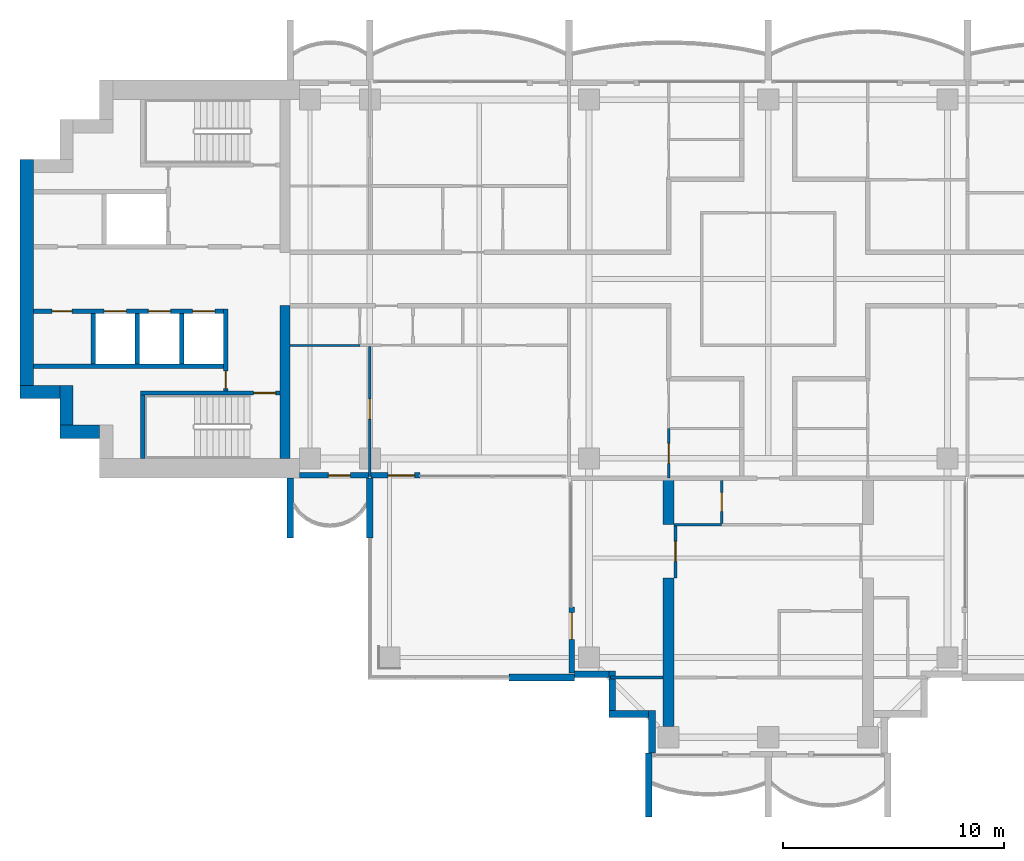
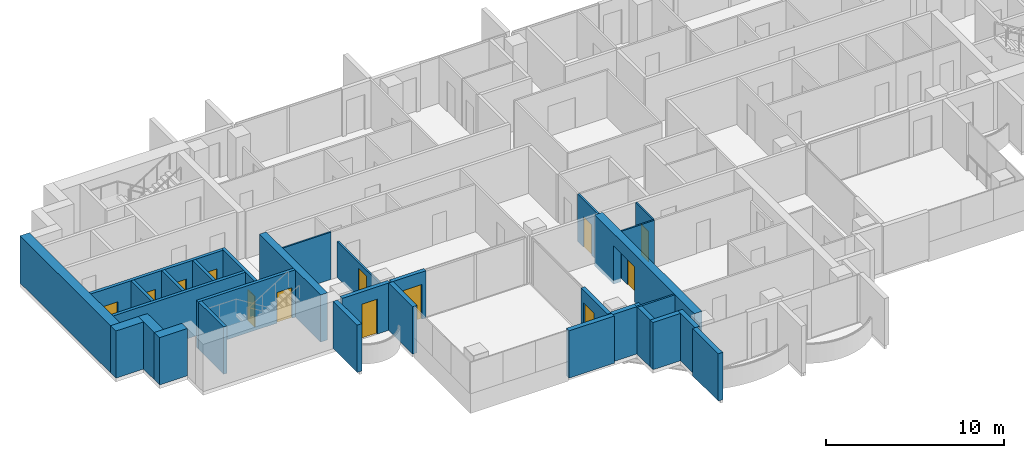
# One storey, part 8 of 17: 32 walls, 13 doors, 13 openings.
"""IFC4 building model written with IfcOpenShell, lengths in metres."""

from ifc_helpers import new_model, si_unit, direction, frame, frame_2d, origin, place, context, subcontext, project, spatial, polyline, rectangle, outline, extrude, material, layer, layer_set, material_profile, profile_set, type_object, element, fill, save


model = new_model("IFC4")

# Units and contexts
model_context = context("Model", 3, precision=1e-05, world=origin(), true_north=direction((0.0, 1.0)))
body_context = subcontext(model_context, "Body", "Model", "MODEL_VIEW")
ifc_project = project(units=[si_unit("LENGTHUNIT", "METRE"), si_unit("AREAUNIT", "SQUARE_METRE"), si_unit("VOLUMEUNIT", "CUBIC_METRE"), si_unit("PLANEANGLEUNIT", "RADIAN"), si_unit("MASSUNIT", "GRAM", prefix="KILO")], contexts=[model_context])

# Site, building, storey
site_placement = place(None, origin())
site = spatial("IfcSite", under=ifc_project, at=site_placement, CompositionType="ELEMENT")
building_placement = place(site_placement, origin())
building = spatial("IfcBuilding", under=site, at=building_placement, Name="Perihelion Cross Residences", CompositionType="ELEMENT")
storey_placement = place(building_placement, frame((0.0, 0.0, 184.10009765625)))
storey = spatial("IfcBuildingStorey", under=building, at=storey_placement, Name="L45", CompositionType="ELEMENT", Elevation=184.10009765625)

# Wall, opening, door
ifc_material_1 = material(Name="Concrete C30/37, bronze-clad", Category="concrete")
ifc_layer_1 = layer(ifc_material_1, 0.25)
ifc_layer_set_1 = layer_set([ifc_layer_1], Name="Bronze-clad pier wall 250")
wall_type_1 = type_object("IfcWallType", Name="Bronze-clad pier wall 250", PredefinedType="SOLIDWALL", material=ifc_layer_set_1)
wall_1_placement = place(storey_placement, frame((-21.175048828125, -8.875, 0.0), z_axis=(0.0, 0.0, 1.0), x_axis=(1.0, 0.0, 0.0)))
wall_1 = element("IfcWall", 1, at=wall_1_placement, inside=storey, type_object=wall_type_1, Name="Wall FW1 L45 west side south bay 1 pier", PredefinedType="SOLIDWALL", context=body_context, shape_type="SweptSolid", body=[
    extrude(rectangle(XDim=3.114990234375, YDim=0.25, at=frame_2d((1.5576171875, 0.0))), origin(), (0.0, 0.0, 1.0), 3.25),
])
opening_1_placement = place(wall_1_placement, frame((1.300048828125, 0.0, 0.0)))
opening_1 = element("IfcOpeningElement", 2, at=opening_1_placement, cuts=wall_1, Name="Opening L45.E07", PredefinedType="OPENING", context=body_context, shape_type="SweptSolid", body=[
    extrude(rectangle(XDim=1.0, YDim=2.39990234375, at=frame_2d((0.5, 1.199951171875))), frame((0.0, 0.135009765625, 0.0), z_axis=(0.0, -1.0, 0.0), x_axis=(1.0, 0.0, 0.0)), (0.0, 0.0, 1.0), 0.27001953125),
])
ifc_material_2 = material(Name="Bronze anodised aluminium, glazed", Category="aluminium")
door_type_1 = type_object("IfcDoorType", Name="Balcony door 1000 x 2400", OperationType="NOTDEFINED", PredefinedType="DOOR", material=ifc_material_2)
door_1_placement = place(opening_1_placement, origin())
door_1 = element("IfcDoor", 3, at=door_1_placement, inside=storey, type_object=door_type_1, Name="Door L45.E07 west side south bay 1", OperationType="SINGLE_SWING_LEFT", OverallHeight=2.39990234375, OverallWidth=1.0, PredefinedType="DOOR", context=body_context, shape_type="SweptSolid", body=[
    extrude(rectangle(XDim=1.0, YDim=2.39990234375, at=frame_2d((0.5, 1.199951171875))), frame((0.0, 0.02490234375, 0.0), z_axis=(0.0, -1.0, 0.0), x_axis=(1.0, 0.0, 0.0)), (0.0, 0.0, 1.0), 0.050048828125),
])
fill(opening_1, door_1)

wall_2_placement = place(storey_placement, frame((-17.93994140625, -8.875, 0.0), z_axis=(0.0, 0.0, 1.0), x_axis=(1.0, 0.0, 0.0)))
wall_2 = element("IfcWall", 4, at=wall_2_placement, inside=storey, type_object=wall_type_1, Name="Wall FW1 L45 west side south bay 2 pier", PredefinedType="SOLIDWALL", context=body_context, shape_type="SweptSolid", body=[
    extrude(rectangle(XDim=2.21484375, YDim=0.25, at=frame_2d((1.107421875, 0.0))), origin(), (0.0, 0.0, 1.0), 3.25),
])
opening_2_placement = place(wall_2_placement, frame((0.764892578125, 0.0, 0.0)))
opening_2 = element("IfcOpeningElement", 5, at=opening_2_placement, cuts=wall_2, Name="Opening L45.E08", PredefinedType="OPENING", context=body_context, shape_type="SweptSolid", body=[
    extrude(rectangle(XDim=1.199951171875, YDim=2.39990234375, at=frame_2d((0.60009765625, 1.199951171875))), frame((0.0, 0.135009765625, 0.0), z_axis=(0.0, -1.0, 0.0), x_axis=(1.0, 0.0, 0.0)), (0.0, 0.0, 1.0), 0.27001953125),
])
ifc_material_3 = material(Name="Bronze anodised aluminium, glazed", Category="aluminium")
door_type_2 = type_object("IfcDoorType", Name="Balcony door 1200 x 2400", OperationType="NOTDEFINED", PredefinedType="DOOR", material=ifc_material_3)
door_2_placement = place(opening_2_placement, origin())
door_2 = element("IfcDoor", 6, at=door_2_placement, inside=storey, type_object=door_type_2, Name="Door L45.E08 west side south bay 2", OperationType="SINGLE_SWING_RIGHT", OverallHeight=2.39990234375, OverallWidth=1.199951171875, PredefinedType="DOOR", context=body_context, shape_type="SweptSolid", body=[
    extrude(rectangle(XDim=1.199951171875, YDim=2.39990234375, at=frame_2d((0.60009765625, 1.199951171875))), frame((0.0, 0.02490234375, 0.0), z_axis=(0.0, -1.0, 0.0), x_axis=(1.0, 0.0, 0.0)), (0.0, 0.0, 1.0), 0.050048828125),
])
fill(opening_2, door_2)

wall_3_placement = place(storey_placement, frame((-8.875, -14.824951171875, 0.0), z_axis=(0.0, 0.0, 1.0), x_axis=(0.0, -1.0, 0.0)))
wall_3 = element("IfcWall", 7, at=wall_3_placement, inside=storey, type_object=wall_type_1, Name="Wall FW1 L45 south side west bay 1 pier", PredefinedType="SOLIDWALL", context=body_context, shape_type="SweptSolid", body=[
    extrude(rectangle(XDim=2.97509765625, YDim=0.25, at=frame_2d((1.487548828125, 0.0))), origin(), (0.0, 0.0, 1.0), 3.25),
])
opening_3_placement = place(wall_3_placement, frame((0.25, 0.0, 0.0)))
opening_3 = element("IfcOpeningElement", 8, at=opening_3_placement, cuts=wall_3, Name="Opening L45.E09", PredefinedType="OPENING", context=body_context, shape_type="SweptSolid", body=[
    extrude(rectangle(XDim=1.199951171875, YDim=2.39990234375, at=frame_2d((0.60009765625, 1.199951171875))), frame((0.0, 0.135009765625, 0.0), z_axis=(0.0, -1.0, 0.0), x_axis=(1.0, 0.0, 0.0)), (0.0, 0.0, 1.0), 0.27001953125),
])
door_3_placement = place(opening_3_placement, origin())
door_3 = element("IfcDoor", 9, at=door_3_placement, inside=storey, type_object=door_type_2, Name="Door L45.E09 south side west bay 1", OperationType="SINGLE_SWING_LEFT", OverallHeight=2.39990234375, OverallWidth=1.199951171875, PredefinedType="DOOR", context=body_context, shape_type="SweptSolid", body=[
    extrude(rectangle(XDim=1.199951171875, YDim=2.39990234375, at=frame_2d((0.60009765625, 1.199951171875))), frame((0.0, 0.02490234375, 0.0), z_axis=(0.0, -1.0, 0.0), x_axis=(1.0, 0.0, 0.0)), (0.0, 0.0, 1.0), 0.050048828125),
])
fill(opening_3, door_3)

# Walls
ifc_material_4 = material(Name="Concrete C30/37, bronze-clad", Category="concrete")
ifc_layer_2 = layer(ifc_material_4, 0.300048828125)
ifc_layer_set_2 = layer_set([ifc_layer_2], Name="Bronze-clad serration wall 300")
wall_type_2 = type_object("IfcWallType", Name="Bronze-clad serration wall 300", PredefinedType="SOLIDWALL", material=ifc_layer_set_2)
wall_4_placement = place(storey_placement, frame((-8.75, -17.85009765625, 0.0), z_axis=(0.0, 0.0, 1.0), x_axis=(1.0, 0.0, 0.0)))
element("IfcWall", 10, at=wall_4_placement, inside=storey, type_object=wall_type_2, Name="Wall SR1 L45 south corner south-west 1", PredefinedType="SOLIDWALL", context=body_context, shape_type="SweptSolid", body=[
    extrude(rectangle(XDim=1.550048828125, YDim=0.300048828125, at=frame_2d((0.77490234375, 0.0))), origin(), (0.0, 0.0, 1.0), 3.25),
])
for number, where, z_axis, x_axis, name in (
    (11, (-7.050048828125, -17.699951171875, 0.0), (0.0, 0.0, 1.0), (0.0, -1.0, 0.0), "Wall SR1 L45 south corner south-west 2"),
    (12, (-7.199951171875, -19.64990234375, 0.0), (0.0, 0.0, 1.0), (1.0, 0.0, 0.0), "Wall SR1 L45 south corner south-west 3"),
):
    element("IfcWall", number, at=place(storey_placement, frame(where, z_axis=z_axis, x_axis=x_axis)), inside=storey, type_object=wall_type_2, Name=name, PredefinedType="SOLIDWALL", context=body_context, shape_type="SweptSolid", body=[
        extrude(rectangle(XDim=1.800048828125, YDim=0.300048828125, at=frame_2d((0.89990234375, 0.0))), origin(), (0.0, 0.0, 1.0), 3.25),
    ])
wall_5_placement = place(storey_placement, frame((-5.25, -19.5, 0.0), z_axis=(0.0, 0.0, 1.0), x_axis=(0.0, -1.0, 0.0)))
element("IfcWall", 13, at=wall_5_placement, inside=storey, type_object=wall_type_2, Name="Wall SR1 L45 south corner south-west 4", PredefinedType="SOLIDWALL", context=body_context, shape_type="SweptSolid", body=[
    extrude(rectangle(XDim=1.919921875, YDim=0.300048828125, at=frame_2d((0.9599609375, 0.0))), origin(), (0.0, 0.0, 1.0), 3.25),
])
ifc_material_5 = material(Name="Concrete C60/75", Category="concrete")
ifc_layer_3 = layer(ifc_material_5, 0.449951171875)
ifc_layer_set_3 = layer_set([ifc_layer_3], Name="Core wall, inner 450")
wall_type_3 = type_object("IfcWallType", Name="Core wall, inner 450", PredefinedType="SHEAR", material=ifc_layer_set_3)
wall_6_placement = place(storey_placement, frame((-21.824951171875, -8.10009765625, 0.0), z_axis=(0.0, 0.0, 1.0), x_axis=(0.0, 1.0, 0.0)))
element("IfcWall", 14, at=wall_6_placement, inside=storey, type_object=wall_type_3, Name="West core core wall, inner", PredefinedType="SHEAR", context=body_context, shape_type="SweptSolid", body=[
    extrude(rectangle(XDim=6.900146484375, YDim=0.449951171875, at=frame_2d((3.4501953125, 0.0))), origin(), (0.0, 0.0, 1.0), 3.25),
])
ifc_material_6 = material(Name="Concrete C60/75", Category="concrete")
ifc_layer_4 = layer(ifc_material_6, 0.60009765625)
ifc_layer_set_4 = layer_set([ifc_layer_4], Name="Core wall, outer 600")
wall_type_4 = type_object("IfcWallType", Name="Core wall, outer 600", PredefinedType="SHEAR", material=ifc_layer_set_4)
for number, where, z_axis, x_axis, name in (
    (15, (-32.0, -6.89990234375, 0.0), (0.0, 0.0, 1.0), (1.0, 0.0, 0.0), "West core core wall, outer"),
    (16, (-31.699951171875, -6.60009765625, 0.0), (0.0, 0.0, 1.0), (0.0, 1.0, 0.0), "West core core wall, outer"),
    (17, (-33.800048828125, -5.10009765625, 0.0), (0.0, 0.0, 1.0), (1.0, 0.0, 0.0), "West core core wall, outer"),
):
    element("IfcWall", number, at=place(storey_placement, frame(where, z_axis=z_axis, x_axis=x_axis)), inside=storey, type_object=wall_type_4, Name=name, PredefinedType="SHEAR", context=body_context, shape_type="SweptSolid", body=[
        extrude(rectangle(XDim=1.800048828125, YDim=0.60009765625, at=frame_2d((0.89990234375, 0.0))), origin(), (0.0, 0.0, 1.0), 3.25),
    ])
wall_7_placement = place(storey_placement, frame((-33.5, -4.800048828125, 0.0), z_axis=(0.0, 0.0, 1.0), x_axis=(0.0, 1.0, 0.0)))
element("IfcWall", 18, at=wall_7_placement, inside=storey, type_object=wall_type_4, Name="West core core wall, outer", PredefinedType="SHEAR", context=body_context, shape_type="SweptSolid", body=[
    extrude(rectangle(XDim=10.199951171875, YDim=0.60009765625, at=frame_2d((5.10009765625, 0.0))), origin(), (0.0, 0.0, 1.0), 3.25),
])

# Wall, opening, door
ifc_material_7 = material(Name="Plasterboard partition")
ifc_layer_5 = layer(ifc_material_7, 0.1201171875)
ifc_layer_set_5 = layer_set([ifc_layer_5], Name="Infill panel 120")
wall_type_5 = type_object("IfcWallType", Name="Infill panel 120", PredefinedType="PARTITIONING", material=ifc_layer_set_5)
wall_8_placement = place(storey_placement, frame((-4.18994140625, -11.10009765625, 0.0), z_axis=(0.0, 0.0, 1.0), x_axis=(0.0, -1.0, 0.0)))
wall_8 = element("IfcWall", 19, at=wall_8_placement, inside=storey, type_object=wall_type_5, Name="Partition L45 WI02", PredefinedType="PARTITIONING", context=body_context, shape_type="SweptSolid", body=[
    extrude(rectangle(XDim=2.39990234375, YDim=0.1201171875, at=frame_2d((1.199951171875, 0.0))), origin(), (0.0, 0.0, 1.0), 2.39990234375),
])
opening_4_placement = place(wall_8_placement, frame((0.75, 0.0, 0.0)))
opening_4 = element("IfcOpeningElement", 20, at=opening_4_placement, cuts=wall_8, Name="Opening L45.A45", PredefinedType="OPENING", context=body_context, shape_type="SweptSolid", body=[
    extrude(rectangle(XDim=0.89990234375, YDim=2.10009765625, at=frame_2d((0.449951171875, 1.050048828125))), frame((0.0, 0.070068359375, 0.0), z_axis=(0.0, -1.0, 0.0), x_axis=(1.0, 0.0, 0.0)), (0.0, 0.0, 1.0), 0.14013671875),
])
ifc_material_8 = material(Name="Timber door leaf", Category="wood")
door_type_3 = type_object("IfcDoorType", Name="Interior room door 900 x 2100", OperationType="SINGLE_SWING_LEFT", PredefinedType="DOOR", material=ifc_material_8)
door_4_placement = place(opening_4_placement, origin())
door_4 = element("IfcDoor", 21, at=door_4_placement, inside=storey, type_object=door_type_3, Name="Door L45.A45", OperationType="SINGLE_SWING_LEFT", OverallHeight=2.10009765625, OverallWidth=0.89990234375, PredefinedType="DOOR", context=body_context, shape_type="SweptSolid", body=[
    extrude(rectangle(XDim=0.89990234375, YDim=2.10009765625, at=frame_2d((0.449951171875, 1.050048828125))), frame((0.0, 0.02490234375, 0.0), z_axis=(0.0, -1.0, 0.0), x_axis=(1.0, 0.0, 0.0)), (0.0, 0.0, 1.0), 0.050048828125),
])
fill(opening_4, door_4)

ifc_material_9 = material(Name="Concrete C50/60", Category="concrete")
ifc_layer_6 = layer(ifc_material_9, 0.199951171875)
ifc_layer_set_6 = layer_set([ifc_layer_6], Name="Lobby wall 200")
wall_type_6 = type_object("IfcWallType", Name="Lobby wall 200", PredefinedType="SOLIDWALL", material=ifc_layer_set_6)
wall_9_placement = place(storey_placement, frame((-24.5, -5.050048828125, 0.0), z_axis=(0.0, 0.0, 1.0), x_axis=(0.0, 1.0, 0.0)))
wall_9 = element("IfcWall", 22, at=wall_9_placement, inside=storey, type_object=wall_type_6, Name="West core lobby wall", PredefinedType="SOLIDWALL", context=body_context, shape_type="SweptSolid", body=[
    extrude(rectangle(XDim=3.699951171875, YDim=0.199951171875, at=frame_2d((1.85009765625, 0.0))), origin(), (0.0, 0.0, 1.0), 3.25),
])
opening_5_placement = place(wall_9_placement, frame((0.10009765625, 0.0, 0.0)))
opening_5 = element("IfcOpeningElement", 23, at=opening_5_placement, cuts=wall_9, Name="Opening L45.C20", PredefinedType="OPENING", context=body_context, shape_type="SweptSolid", body=[
    extrude(rectangle(XDim=0.800048828125, YDim=2.10009765625, at=frame_2d((0.39990234375, 1.050048828125))), frame((0.0, 0.10986328125, 0.0), z_axis=(0.0, -1.0, 0.0), x_axis=(1.0, 0.0, 0.0)), (0.0, 0.0, 1.0), 0.219970703125),
])
ifc_material_10 = material(Name="Steel, powder coated", Category="steel")
door_type_4 = type_object("IfcDoorType", Name="Riser door 800", OperationType="SINGLE_SWING_LEFT", PredefinedType="DOOR", material=ifc_material_10)
door_5_placement = place(opening_5_placement, origin())
door_5 = element("IfcDoor", 24, at=door_5_placement, inside=storey, type_object=door_type_4, Name="West core riser door", OperationType="SINGLE_SWING_LEFT", OverallHeight=2.10009765625, OverallWidth=0.800048828125, PredefinedType="DOOR", context=body_context, shape_type="SweptSolid", body=[
    extrude(rectangle(XDim=0.800048828125, YDim=2.10009765625, at=frame_2d((0.39990234375, 1.050048828125))), frame((0.0, 0.02490234375, 0.0), z_axis=(0.0, -1.0, 0.0), x_axis=(1.0, 0.0, 0.0)), (0.0, 0.0, 1.0), 0.050048828125),
])
fill(opening_5, door_5)

ifc_material_11 = material(Name="Plasterboard partition")
ifc_layer_7 = layer(ifc_material_11, 0.1201171875)
ifc_layer_set_7 = layer_set([ifc_layer_7], Name="Partition wall 120")
wall_type_7 = type_object("IfcWallType", Name="Partition wall 120", PredefinedType="PARTITIONING", material=ifc_layer_set_7)
wall_10_placement = place(storey_placement, frame((-18.0, -8.919921875, 0.0), z_axis=(0.0, 0.0, 1.0), x_axis=(0.0, 1.0, 0.0)))
wall_10 = element("IfcWall", 25, at=wall_10_placement, inside=storey, type_object=wall_type_7, Name="Partition L45 W059", PredefinedType="PARTITIONING", context=body_context, shape_type="SweptSolid", body=[
    extrude(rectangle(XDim=5.85986328125, YDim=0.1201171875, at=frame_2d((2.929931640625, 0.0))), origin(), (0.0, 0.0, 1.0), 2.47998046875),
])
opening_6_placement = place(wall_10_placement, frame((2.590087890625, 0.0, 0.0)))
opening_6 = element("IfcOpeningElement", 26, at=opening_6_placement, cuts=wall_10, Name="Opening L45.A32", PredefinedType="OPENING", context=body_context, shape_type="SweptSolid", body=[
    extrude(rectangle(XDim=0.89990234375, YDim=2.10009765625, at=frame_2d((0.449951171875, 1.050048828125))), frame((0.0, 0.070068359375, 0.0), z_axis=(0.0, -1.0, 0.0), x_axis=(1.0, 0.0, 0.0)), (0.0, 0.0, 1.0), 0.14013671875),
])
door_6_placement = place(opening_6_placement, origin())
door_6 = element("IfcDoor", 27, at=door_6_placement, inside=storey, type_object=door_type_3, Name="Door L45.A32", OperationType="SINGLE_SWING_LEFT", OverallHeight=2.10009765625, OverallWidth=0.89990234375, PredefinedType="DOOR", context=body_context, shape_type="SweptSolid", body=[
    extrude(rectangle(XDim=0.89990234375, YDim=2.10009765625, at=frame_2d((0.449951171875, 1.050048828125))), frame((0.0, 0.02490234375, 0.0), z_axis=(0.0, -1.0, 0.0), x_axis=(1.0, 0.0, 0.0)), (0.0, 0.0, 1.0), 0.050048828125),
])
fill(opening_6, door_6)

wall_11_placement = place(storey_placement, frame((-4.5, -6.75, 0.0), z_axis=(0.0, 0.0, 1.0), x_axis=(0.0, -1.0, 0.0)))
wall_11 = element("IfcWall", 28, at=wall_11_placement, inside=storey, type_object=wall_type_7, Name="Partition L45 W061", PredefinedType="PARTITIONING", context=body_context, shape_type="SweptSolid", body=[
    extrude(rectangle(XDim=2.25, YDim=0.1201171875, at=frame_2d((1.125, 0.0))), origin(), (0.0, 0.0, 1.0), 3.25),
])
opening_7_placement = place(wall_11_placement, frame((0.675048828125, 0.0, 0.0)))
opening_7 = element("IfcOpeningElement", 29, at=opening_7_placement, cuts=wall_11, Name="Opening L45.A29", PredefinedType="OPENING", context=body_context, shape_type="SweptSolid", body=[
    extrude(rectangle(XDim=0.89990234375, YDim=2.10009765625, at=frame_2d((0.449951171875, 1.050048828125))), frame((0.0, 0.070068359375, 0.0), z_axis=(0.0, -1.0, 0.0), x_axis=(1.0, 0.0, 0.0)), (0.0, 0.0, 1.0), 0.14013671875),
])
door_7_placement = place(opening_7_placement, origin())
door_7 = element("IfcDoor", 30, at=door_7_placement, inside=storey, type_object=door_type_3, Name="Door L45.A29", OperationType="SINGLE_SWING_LEFT", OverallHeight=2.10009765625, OverallWidth=0.89990234375, PredefinedType="DOOR", context=body_context, shape_type="SweptSolid", body=[
    extrude(rectangle(XDim=0.89990234375, YDim=2.10009765625, at=frame_2d((0.449951171875, 1.050048828125))), frame((0.0, 0.02490234375, 0.0), z_axis=(0.0, -1.0, 0.0), x_axis=(1.0, 0.0, 0.0)), (0.0, 0.0, 1.0), 0.050048828125),
])
fill(opening_7, door_7)

# Walls
wall_12_placement = place(storey_placement, frame((-4.75, -18.0, 0.0), z_axis=(0.0, 0.0, 1.0), x_axis=(-1.0, 0.0, 0.0)))
element("IfcWall", 31, at=wall_12_placement, inside=storey, type_object=wall_type_7, Name="Partition L45 W073", PredefinedType="PARTITIONING", context=body_context, shape_type="SweptSolid", body=[
    extrude(rectangle(XDim=2.3701171875, YDim=0.1201171875, at=frame_2d((1.18505859375, 0.0))), origin(), (0.0, 0.0, 1.0), 3.25),
])
ifc_material_12 = material(Name="Precast concrete C50/60", Category="concrete")
ifc_layer_8 = layer(ifc_material_12, 0.300048828125)
ifc_layer_set_8 = layer_set([ifc_layer_8], Name="Precast concrete C50/60 blade wall 300")
wall_type_8 = type_object("IfcWallType", Name="Precast concrete C50/60 blade wall 300", PredefinedType="SOLIDWALL", material=ifc_layer_set_8)
for number, where, z_axis, x_axis, name in (
    (32, (-21.60009765625, -9.0, 0.0), (0.0, 0.0, 1.0), (0.0, -1.0, 0.0), "Wall BL1 L45 no. 3"),
    (33, (-18.0, -9.0, 0.0), (0.0, 0.0, 1.0), (0.0, -1.0, 0.0), "Wall BL1 L45 no. 1"),
):
    element("IfcWall", number, at=place(storey_placement, frame(where, z_axis=z_axis, x_axis=x_axis)), inside=storey, type_object=wall_type_8, Name=name, PredefinedType="SOLIDWALL", context=body_context, shape_type="SweptSolid", body=[
        extrude(rectangle(XDim=2.699951171875, YDim=0.300048828125, at=frame_2d((1.35009765625, 0.0))), origin(), (0.0, 0.0, 1.0), 3.25),
    ])
wall_13_placement = place(storey_placement, frame((-8.75, -18.0, 0.0), z_axis=(0.0, 0.0, 1.0), x_axis=(-1.0, 0.0, 0.0)))
element("IfcWall", 34, at=wall_13_placement, inside=storey, type_object=wall_type_8, Name="Wall BL1 L45 no. 6", PredefinedType="SOLIDWALL", context=body_context, shape_type="SweptSolid", body=[
    extrude(rectangle(XDim=2.949951171875, YDim=0.300048828125, at=frame_2d((1.47509765625, 0.0))), origin(), (0.0, 0.0, 1.0), 3.25),
])
wall_14_placement = place(storey_placement, frame((-5.39990234375, -21.419921875, 0.0), z_axis=(0.0, 0.0, 1.0), x_axis=(0.0, -1.0, 0.0)))
element("IfcWall", 35, at=wall_14_placement, inside=storey, type_object=wall_type_8, Name="Wall BL1 L45 no. 5", PredefinedType="SOLIDWALL", context=body_context, shape_type="SweptSolid", body=[
    extrude(rectangle(XDim=2.880126953125, YDim=0.300048828125, at=frame_2d((1.43994140625, 0.0))), origin(), (0.0, 0.0, 1.0), 3.25),
])

# Wall, openings, doors
ifc_material_13 = material(Name="Concrete C50/60", Category="concrete")
ifc_layer_9 = layer(ifc_material_13, 0.199951171875)
ifc_layer_set_9 = layer_set([ifc_layer_9], Name="Shaft wall 200")
wall_type_9 = type_object("IfcWallType", Name="Shaft wall 200", PredefinedType="SOLIDWALL", material=ifc_layer_set_9)
wall_15_placement = place(storey_placement, frame((-33.199951171875, -1.449951171875, 0.0), z_axis=(0.0, 0.0, 1.0), x_axis=(1.0, 0.0, 0.0)))
wall_15 = element("IfcWall", 36, at=wall_15_placement, inside=storey, type_object=wall_type_9, Name="West core shaft wall", PredefinedType="SOLIDWALL", context=body_context, shape_type="SweptSolid", body=[
    extrude(rectangle(XDim=8.599853515625, YDim=0.199951171875, at=frame_2d((4.2998046875, 0.0))), origin(), (0.0, 0.0, 1.0), 3.25),
])
opening_8_placement = place(wall_15_placement, frame((7.199951171875, 0.0, 0.0)))
opening_8 = element("IfcOpeningElement", 37, at=opening_8_placement, cuts=wall_15, Name="Opening L45.C13", PredefinedType="OPENING", context=body_context, shape_type="SweptSolid", body=[
    extrude(rectangle(XDim=1.0, YDim=2.10009765625, at=frame_2d((0.5, 1.050048828125))), frame((0.0, 0.10986328125, 0.0), z_axis=(0.0, -1.0, 0.0), x_axis=(1.0, 0.0, 0.0)), (0.0, 0.0, 1.0), 0.219970703125),
])
opening_9_placement = place(wall_15_placement, frame((5.199951171875, 0.0, 0.0)))
opening_9 = element("IfcOpeningElement", 38, at=opening_9_placement, cuts=wall_15, Name="Opening L45.C15", PredefinedType="OPENING", context=body_context, shape_type="SweptSolid", body=[
    extrude(rectangle(XDim=1.0, YDim=2.10009765625, at=frame_2d((0.5, 1.050048828125))), frame((0.0, 0.10986328125, 0.0), z_axis=(0.0, -1.0, 0.0), x_axis=(1.0, 0.0, 0.0)), (0.0, 0.0, 1.0), 0.219970703125),
])
opening_10_placement = place(wall_15_placement, frame((3.199951171875, 0.0, 0.0)))
opening_10 = element("IfcOpeningElement", 39, at=opening_10_placement, cuts=wall_15, Name="Opening L45.C16", PredefinedType="OPENING", context=body_context, shape_type="SweptSolid", body=[
    extrude(rectangle(XDim=1.0, YDim=2.10009765625, at=frame_2d((0.5, 1.050048828125))), frame((0.0, 0.10986328125, 0.0), z_axis=(0.0, -1.0, 0.0), x_axis=(1.0, 0.0, 0.0)), (0.0, 0.0, 1.0), 0.219970703125),
])
opening_11_placement = place(wall_15_placement, frame((0.85009765625, 0.0, 0.0)))
opening_11 = element("IfcOpeningElement", 40, at=opening_11_placement, cuts=wall_15, Name="Opening L45.C24", PredefinedType="OPENING", context=body_context, shape_type="SweptSolid", body=[
    extrude(rectangle(XDim=0.89990234375, YDim=2.10009765625, at=frame_2d((0.449951171875, 1.050048828125))), frame((0.0, 0.10986328125, 0.0), z_axis=(0.0, -1.0, 0.0), x_axis=(1.0, 0.0, 0.0)), (0.0, 0.0, 1.0), 0.219970703125),
])
ifc_material_14 = material(Name="Stainless steel", Category="steel")
door_type_5 = type_object("IfcDoorType", Name="Landing door 1000", OperationType="DOUBLE_DOOR_SLIDING", PredefinedType="DOOR", material=ifc_material_14)
door_8_placement = place(opening_8_placement, origin())
door_8 = element("IfcDoor", 41, at=door_8_placement, inside=storey, type_object=door_type_5, Name="Landing door, West core high-rise lift 1", OperationType="DOUBLE_DOOR_SLIDING", OverallHeight=2.10009765625, OverallWidth=1.0, PredefinedType="DOOR", context=body_context, shape_type="SweptSolid", body=[
    extrude(rectangle(XDim=1.0, YDim=2.10009765625, at=frame_2d((0.5, 1.050048828125))), frame((0.0, 0.02490234375, 0.0), z_axis=(0.0, -1.0, 0.0), x_axis=(1.0, 0.0, 0.0)), (0.0, 0.0, 1.0), 0.050048828125),
])
fill(opening_8, door_8)
door_9_placement = place(opening_9_placement, origin())
door_9 = element("IfcDoor", 42, at=door_9_placement, inside=storey, type_object=door_type_5, Name="Landing door, West core high-rise lift 2", OperationType="DOUBLE_DOOR_SLIDING", OverallHeight=2.10009765625, OverallWidth=1.0, PredefinedType="DOOR", context=body_context, shape_type="SweptSolid", body=[
    extrude(rectangle(XDim=1.0, YDim=2.10009765625, at=frame_2d((0.5, 1.050048828125))), frame((0.0, 0.02490234375, 0.0), z_axis=(0.0, -1.0, 0.0), x_axis=(1.0, 0.0, 0.0)), (0.0, 0.0, 1.0), 0.050048828125),
])
fill(opening_9, door_9)
door_10_placement = place(opening_10_placement, origin())
door_10 = element("IfcDoor", 43, at=door_10_placement, inside=storey, type_object=door_type_5, Name="Landing door, West core high-rise lift 3", OperationType="DOUBLE_DOOR_SLIDING", OverallHeight=2.10009765625, OverallWidth=1.0, PredefinedType="DOOR", context=body_context, shape_type="SweptSolid", body=[
    extrude(rectangle(XDim=1.0, YDim=2.10009765625, at=frame_2d((0.5, 1.050048828125))), frame((0.0, 0.02490234375, 0.0), z_axis=(0.0, -1.0, 0.0), x_axis=(1.0, 0.0, 0.0)), (0.0, 0.0, 1.0), 0.050048828125),
])
fill(opening_10, door_10)
ifc_material_15 = material(Name="Steel, powder coated", Category="steel")
door_type_6 = type_object("IfcDoorType", Name="Service room door 900", OperationType="SINGLE_SWING_LEFT", PredefinedType="DOOR", material=ifc_material_15)
door_11_placement = place(opening_11_placement, origin())
door_11 = element("IfcDoor", 44, at=door_11_placement, inside=storey, type_object=door_type_6, Name="West core service room door", OperationType="SINGLE_SWING_LEFT", OverallHeight=2.10009765625, OverallWidth=0.89990234375, PredefinedType="DOOR", context=body_context, shape_type="SweptSolid", body=[
    extrude(rectangle(XDim=0.89990234375, YDim=2.10009765625, at=frame_2d((0.449951171875, 1.050048828125))), frame((0.0, 0.02490234375, 0.0), z_axis=(0.0, -1.0, 0.0), x_axis=(1.0, 0.0, 0.0)), (0.0, 0.0, 1.0), 0.050048828125),
])
fill(opening_11, door_11)

# Walls
wall_16_placement = place(storey_placement, frame((-33.199951171875, -3.949951171875, 0.0), z_axis=(0.0, 0.0, 1.0), x_axis=(1.0, 0.0, 0.0)))
element("IfcWall", 45, at=wall_16_placement, inside=storey, type_object=wall_type_9, Name="West core shaft wall", PredefinedType="SOLIDWALL", context=body_context, shape_type="SweptSolid", body=[
    extrude(rectangle(XDim=8.599853515625, YDim=0.199951171875, at=frame_2d((4.2998046875, 0.0))), origin(), (0.0, 0.0, 1.0), 3.25),
])
for number, where, z_axis, x_axis, name in (
    (46, (-26.5, -3.85009765625, 0.0), (0.0, 0.0, 1.0), (0.0, 1.0, 0.0), "West core shaft wall"),
    (47, (-28.5, -3.85009765625, 0.0), (0.0, 0.0, 1.0), (0.0, 1.0, 0.0), "West core shaft wall"),
    (48, (-30.5, -3.85009765625, 0.0), (0.0, 0.0, 1.0), (0.0, 1.0, 0.0), "West core shaft wall"),
):
    element("IfcWall", number, at=place(storey_placement, frame(where, z_axis=z_axis, x_axis=x_axis)), inside=storey, type_object=wall_type_9, Name=name, PredefinedType="SOLIDWALL", context=body_context, shape_type="SweptSolid", body=[
        extrude(rectangle(XDim=2.300048828125, YDim=0.199951171875, at=frame_2d((1.14990234375, 0.0))), origin(), (0.0, 0.0, 1.0), 3.25),
    ])

# Wall, opening, door
ifc_material_16 = material(Name="Concrete C50/60", Category="concrete")
ifc_layer_10 = layer(ifc_material_16, 0.199951171875)
ifc_layer_set_10 = layer_set([ifc_layer_10], Name="Stair wall 200")
wall_type_10 = type_object("IfcWallType", Name="Stair wall 200", PredefinedType="SOLIDWALL", material=ifc_layer_set_10)
wall_17_placement = place(storey_placement, frame((-28.35009765625, -5.14990234375, 0.0), z_axis=(0.0, 0.0, 1.0), x_axis=(1.0, 0.0, 0.0)))
wall_17 = element("IfcWall", 49, at=wall_17_placement, inside=storey, type_object=wall_type_10, Name="West core stair wall", PredefinedType="SOLIDWALL", context=body_context, shape_type="SweptSolid", body=[
    extrude(rectangle(XDim=6.300048828125, YDim=0.199951171875, at=frame_2d((3.14990234375, 0.0))), origin(), (0.0, 0.0, 1.0), 3.25),
])
opening_12_placement = place(wall_17_placement, frame((5.10009765625, 0.0, 0.0)))
opening_12 = element("IfcOpeningElement", 50, at=opening_12_placement, cuts=wall_17, Name="Opening L45.C17", PredefinedType="OPENING", context=body_context, shape_type="SweptSolid", body=[
    extrude(rectangle(XDim=1.0, YDim=2.10009765625, at=frame_2d((0.5, 1.050048828125))), frame((0.0, 0.10986328125, 0.0), z_axis=(0.0, -1.0, 0.0), x_axis=(1.0, 0.0, 0.0)), (0.0, 0.0, 1.0), 0.219970703125),
])
ifc_material_17 = material(Name="Steel, powder coated", Category="steel")
door_type_7 = type_object("IfcDoorType", Name="Stair door 1000", OperationType="SINGLE_SWING_LEFT", PredefinedType="DOOR", material=ifc_material_17)
door_12_placement = place(opening_12_placement, origin())
door_12 = element("IfcDoor", 51, at=door_12_placement, inside=storey, type_object=door_type_7, Name="West core stair door", OperationType="SINGLE_SWING_LEFT", OverallHeight=2.10009765625, OverallWidth=1.0, PredefinedType="DOOR", context=body_context, shape_type="SweptSolid", body=[
    extrude(rectangle(XDim=1.0, YDim=2.10009765625, at=frame_2d((0.5, 1.050048828125))), frame((0.0, 0.02490234375, 0.0), z_axis=(0.0, -1.0, 0.0), x_axis=(1.0, 0.0, 0.0)), (0.0, 0.0, 1.0), 0.050048828125),
])
fill(opening_12, door_12)

# Walls
wall_18_placement = place(storey_placement, frame((-28.25, -8.10009765625, 0.0), z_axis=(0.0, 0.0, 1.0), x_axis=(0.0, 1.0, 0.0)))
element("IfcWall", 52, at=wall_18_placement, inside=storey, type_object=wall_type_10, Name="West core stair wall", PredefinedType="SOLIDWALL", context=body_context, shape_type="SweptSolid", body=[
    extrude(rectangle(XDim=2.85009765625, YDim=0.199951171875, at=frame_2d((1.425048828125, 0.0))), origin(), (0.0, 0.0, 1.0), 3.25),
])
ifc_material_18 = material(Name="Concrete C60/75", Category="concrete")
ifc_material_profile = material_profile(ifc_material_18, outline(polyline([(0.0, 0.0), (6.72509765625, 0.0), (6.72509765625, 2.64990234375), (9.125, 2.64990234375), (9.125, 0.0), (11.22509765625, 0.0), (11.22509765625, 3.5), (0.0, 3.5), (0.0, 0.0)])), Name="Tip spine wall")
ifc_profile_set = profile_set([ifc_material_profile], Name="Concrete C60/75")
wall_type_11 = type_object("IfcWallType", Name="Tip spine wall 500 with 1 door openings 11225 long 3500 high concrete C60/75", PredefinedType="SHEAR", material=ifc_profile_set)
wall_19_placement = place(storey_placement, frame((-4.75, -20.22509765625, -0.25), z_axis=(1.0, 0.0, 0.0), x_axis=(0.0, 1.0, 0.0)))
element("IfcWall", 53, at=wall_19_placement, inside=storey, type_object=wall_type_11, Name="Shear wall SW41 L45 south west", PredefinedType="SHEAR", context=body_context, shape_type="SweptSolid", body=[
    extrude(outline(polyline([(0.0, 0.0), (6.72509765625, 0.0), (6.72509765625, 2.64990234375), (9.125, 2.64990234375), (9.125, 0.0), (11.22509765625, 0.0), (11.22509765625, 3.5), (0.0, 3.5), (0.0, 0.0)])), origin(), (0.0, 0.0, 1.0), 0.5),
])
ifc_material_19 = material(Name="Plasterboard partition")
ifc_layer_11 = layer(ifc_material_19, 0.10009765625)
ifc_layer_set_11 = layer_set([ifc_layer_11], Name="Wet room wall 100")
wall_type_12 = type_object("IfcWallType", Name="Wet room wall 100", PredefinedType="PARTITIONING", material=ifc_layer_set_11)
wall_20_placement = place(storey_placement, frame((-18.449951171875, -3.0, 0.0), z_axis=(0.0, 0.0, 1.0), x_axis=(-1.0, 0.0, 0.0)))
element("IfcWall", 54, at=wall_20_placement, inside=storey, type_object=wall_type_12, Name="Partition L45 W058", PredefinedType="PARTITIONING", context=body_context, shape_type="SweptSolid", body=[
    extrude(rectangle(XDim=3.150146484375, YDim=0.10009765625, at=frame_2d((1.5751953125, 0.0))), origin(), (0.0, 0.0, 1.0), 3.25),
])

# Wall, opening, door
wall_21_placement = place(storey_placement, frame((-2.10009765625, -11.0400390625, 0.0), z_axis=(0.0, 0.0, 1.0), x_axis=(0.0, 1.0, 0.0)))
wall_21 = element("IfcWall", 55, at=wall_21_placement, inside=storey, type_object=wall_type_12, Name="Partition L45 W063", PredefinedType="PARTITIONING", context=body_context, shape_type="SweptSolid", body=[
    extrude(rectangle(XDim=1.93994140625, YDim=0.10009765625, at=frame_2d((0.969970703125, 0.0))), origin(), (0.0, 0.0, 1.0), 3.25),
])
opening_13_placement = place(wall_21_placement, frame((0.544921875, 0.0, 0.0)))
opening_13 = element("IfcOpeningElement", 56, at=opening_13_placement, cuts=wall_21, Name="Opening L45.A35", PredefinedType="OPENING", context=body_context, shape_type="SweptSolid", body=[
    extrude(rectangle(XDim=0.85009765625, YDim=2.10009765625, at=frame_2d((0.425048828125, 1.050048828125))), frame((0.0, 0.06005859375, 0.0), z_axis=(0.0, -1.0, 0.0), x_axis=(1.0, 0.0, 0.0)), (0.0, 0.0, 1.0), 0.1201171875),
])
ifc_material_20 = material(Name="Timber door leaf", Category="wood")
door_type_8 = type_object("IfcDoorType", Name="Interior bathroom door 850 x 2100", OperationType="SINGLE_SWING_LEFT", PredefinedType="DOOR", material=ifc_material_20)
door_13_placement = place(opening_13_placement, origin())
door_13 = element("IfcDoor", 57, at=door_13_placement, inside=storey, type_object=door_type_8, Name="Door L45.A35", OperationType="SINGLE_SWING_LEFT", OverallHeight=2.10009765625, OverallWidth=0.85009765625, PredefinedType="DOOR", context=body_context, shape_type="SweptSolid", body=[
    extrude(rectangle(XDim=0.85009765625, YDim=2.10009765625, at=frame_2d((0.425048828125, 1.050048828125))), frame((0.0, 0.02490234375, 0.0), z_axis=(0.0, -1.0, 0.0), x_axis=(1.0, 0.0, 0.0)), (0.0, 0.0, 1.0), 0.050048828125),
])
fill(opening_13, door_13)

# Wall
wall_22_placement = place(storey_placement, frame((-2.10009765625, -11.10009765625, 0.0), z_axis=(0.0, 0.0, 1.0), x_axis=(-1.0, 0.0, 0.0)))
element("IfcWall", 58, at=wall_22_placement, inside=storey, type_object=wall_type_12, Name="Partition L45 W065", PredefinedType="PARTITIONING", context=body_context, shape_type="SweptSolid", body=[
    extrude(rectangle(XDim=2.14990234375, YDim=0.10009765625, at=frame_2d((1.074951171875, 0.0))), origin(), (0.0, 0.0, 1.0), 3.25),
])

save(model, "model.ifc")
